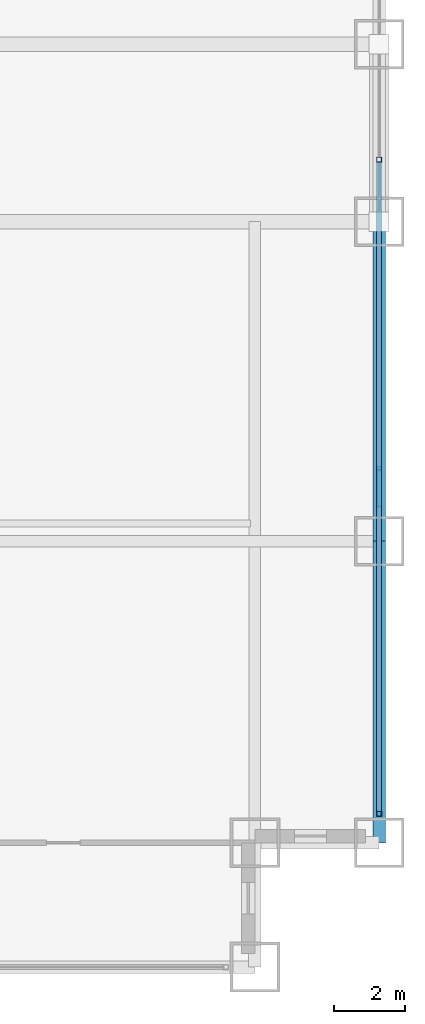
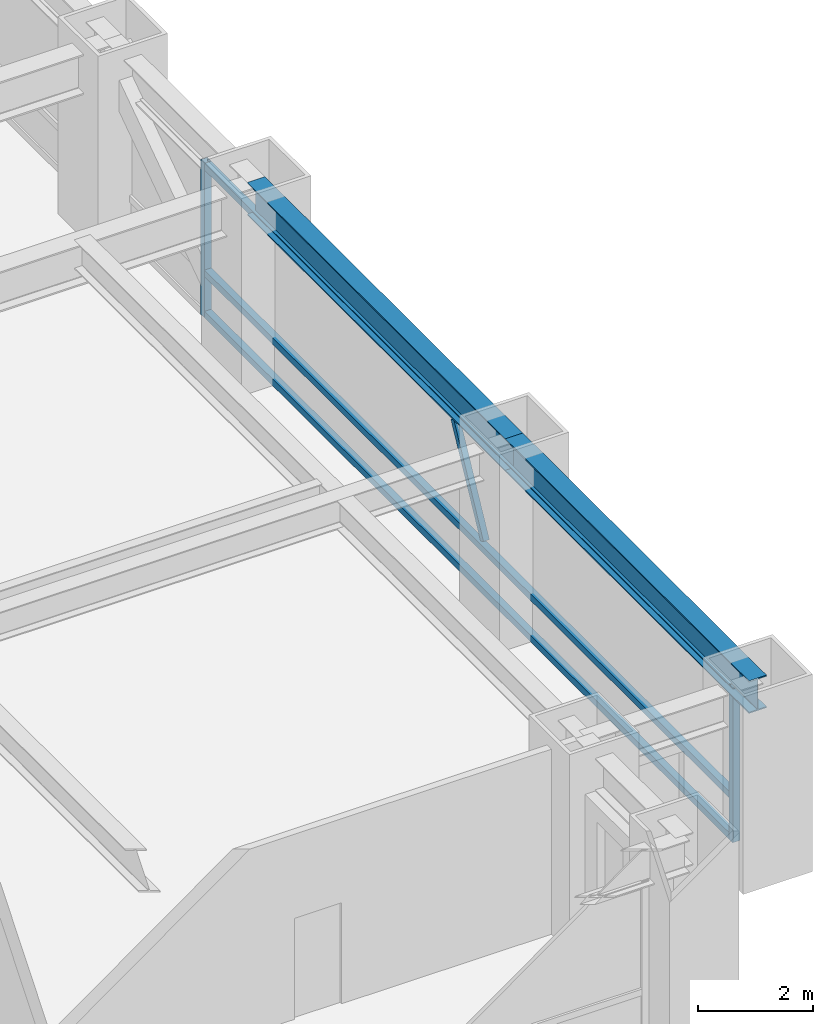
# One storey, part 16 of 28: 6 members, 2 beams, 1 element without a shape of its own.
"""IFC4 building model written with IfcOpenShell, lengths in metres."""

from ifc_helpers import new_model, si_unit, direction, frame, origin, origin_2d, place, context, subcontext, project, spatial, hollow_rectangle, i_section, extrude, source, transform, mapped, material, material_profile, profile_set, type_object, element, aggregate, save


model = new_model("IFC4")

# Units and contexts
model_context = context("Model", 3, precision=1e-05, world=origin(), true_north=direction((0.0, 1.0)))
body_context = subcontext(model_context, "Body", "Model", "MODEL_VIEW")
ifc_project = project(units=[si_unit("LENGTHUNIT", "METRE"), si_unit("AREAUNIT", "SQUARE_METRE"), si_unit("VOLUMEUNIT", "CUBIC_METRE"), si_unit("PLANEANGLEUNIT", "RADIAN"), si_unit("MASSUNIT", "GRAM", prefix="KILO")], contexts=[model_context])

# Site, building, storey
site_placement = place(None, origin())
site = spatial("IfcSite", under=ifc_project, at=site_placement, CompositionType="ELEMENT")
building_placement = place(site_placement, origin())
building = spatial("IfcBuilding", under=site, at=building_placement, Name="Khorayat Bourse Tower", CompositionType="ELEMENT")
storey_placement = place(building_placement, frame((0.0, 0.0, 66.199951171875)))
storey = spatial("IfcBuildingStorey", under=building, at=storey_placement, Name="L14", CompositionType="ELEMENT", Elevation=66.199951171875)

# Beams
ifc_material_1 = material(Name="Steel ASTM A992 Grade 50", Category="steel")
ifc_material_profile_1 = material_profile(ifc_material_1, i_section(OverallWidth=0.35498046875, OverallDepth=0.695068359375, WebThickness=0.015380859375, FlangeThickness=0.02490234375, FilletRadius=0.01806640625, at=origin_2d()), Name="W690X217")
ifc_profile_set_1 = profile_set([ifc_material_profile_1], Name="Steel ASTM A992 Grade 50")
beam_type = type_object("IfcBeamType", Name="BM-SPAN-690", PredefinedType="SPANDREL", material=ifc_profile_set_1)
shared_shape_1 = source(origin(), body_context, "Body", "SweptSolid", [
    extrude(i_section(OverallWidth=0.35498046875, OverallDepth=0.695068359375, WebThickness=0.015380859375, FlangeThickness=0.02490234375, FilletRadius=0.01806640625, at=origin_2d()), origin(), (0.0, 0.0, 1.0), 8.5),
])
beam_1_placement = place(storey_placement, frame((32.0, -28.5, 3.592529296875), z_axis=(0.0, 1.0, 0.0), x_axis=(-1.0, 0.0, 0.0)))
element("IfcBeam", 1, at=beam_1_placement, inside=storey, type_object=beam_type, Name="L14 BM-SPAN-690 BM-L14-SPN-034", PredefinedType="SPANDREL", context=body_context, shape_type="MappedRepresentation", body=[
    mapped(shared_shape_1, transform((0.0, 0.0, 0.0), scale=1.0)),
])
shared_shape_2 = source(origin(), body_context, "Body", "SweptSolid", [
    extrude(i_section(OverallWidth=0.35498046875, OverallDepth=0.695068359375, WebThickness=0.015380859375, FlangeThickness=0.02490234375, FilletRadius=0.01806640625, at=origin_2d()), origin(), (0.0, 0.0, 1.0), 9.0),
])
beam_2_placement = place(storey_placement, frame((32.0, -20.0, 3.592529296875), z_axis=(0.0, 1.0, 0.0), x_axis=(-1.0, 0.0, 0.0)))
element("IfcBeam", 2, at=beam_2_placement, inside=storey, type_object=beam_type, Name="L14 BM-SPAN-690 BM-L14-SPN-035", PredefinedType="SPANDREL", context=body_context, shape_type="MappedRepresentation", body=[
    mapped(shared_shape_2, transform((0.0, 0.0, 0.0), scale=1.0)),
])

# Curtain wall, members
ifc_material_2 = material(Name="Aluminium EN AW-6063 T6", Category="aluminium")
curtain_wall_type = type_object("IfcCurtainWallType", Name="CW-SYS-02", PredefinedType="NOTDEFINED", material=ifc_material_2)
curtain_wall_placement = place(storey_placement, origin())
curtain_wall = element("IfcCurtainWall", 3, at=curtain_wall_placement, inside=storey, type_object=curtain_wall_type, Name="L14 Curtain Wall CW-L14-E1", PredefinedType="NOTDEFINED")
ifc_material_profile_2 = material_profile(ifc_material_2, hollow_rectangle(XDim=0.139892578125, YDim=0.139892578125, WallThickness=0.006103515625, at=origin_2d()), Name="ALU 140x140x6")
ifc_profile_set_2 = profile_set([ifc_material_profile_2], Name="Aluminium EN AW-6063 T6")
member_type_1 = type_object("IfcMemberType", Name="CWT-HORZ-140", PredefinedType="USERDEFINED", material=ifc_profile_set_2)
shared_shape_3 = source(origin(), body_context, "Body", "SweptSolid", [
    extrude(hollow_rectangle(XDim=0.139892578125, YDim=0.139892578125, WallThickness=0.006103515625, at=origin_2d()), origin(), (0.0, 0.0, 1.0), 18.2900390625),
])
member_1_placement = place(storey_placement, frame((32.0, -27.610107421875, 0.070068359375), z_axis=(0.0, 1.0, 0.0), x_axis=(-1.0, 0.0, 0.0)))
member_1 = element("IfcMember", 4, at=member_1_placement, type_object=member_type_1, Name="CW-L14-E1 Horizontal Transom 1-1", ObjectType="TRANSOM", PredefinedType="USERDEFINED", context=body_context, shape_type="MappedRepresentation", body=[
    mapped(shared_shape_3, transform((0.0, 0.0, 0.0), scale=1.0)),
])
member_2_placement = place(storey_placement, frame((32.0, -27.610107421875, 0.949951171875), z_axis=(0.0, 1.0, 0.0), x_axis=(-1.0, 0.0, 0.0)))
member_2 = element("IfcMember", 5, at=member_2_placement, type_object=member_type_1, Name="CW-L14-E1 Horizontal Transom 1-2", ObjectType="TRANSOM", PredefinedType="USERDEFINED", context=body_context, shape_type="MappedRepresentation", body=[
    mapped(shared_shape_3, transform((0.0, 0.0, 0.0), scale=1.0)),
])
member_3_placement = place(storey_placement, frame((32.0, -27.610107421875, 3.219970703125), z_axis=(0.0, 1.0, 0.0), x_axis=(-1.0, 0.0, 0.0)))
member_3 = element("IfcMember", 6, at=member_3_placement, type_object=member_type_1, Name="CW-L14-E1 Horizontal Transom 1-3", ObjectType="TRANSOM", PredefinedType="USERDEFINED", context=body_context, shape_type="MappedRepresentation", body=[
    mapped(shared_shape_3, transform((0.0, 0.0, 0.0), scale=1.0)),
])
ifc_material_profile_3 = material_profile(ifc_material_2, hollow_rectangle(XDim=0.1201171875, YDim=0.1201171875, WallThickness=0.0048828125, at=origin_2d()), Name="ALU 120x120x5")
ifc_profile_set_3 = profile_set([ifc_material_profile_3], Name="Aluminium EN AW-6063 T6")
member_type_2 = type_object("IfcMemberType", Name="CWM-DIAG-120", PredefinedType="MULLION", material=ifc_profile_set_3)
shared_shape_4 = source(origin(), body_context, "Body", "SweptSolid", [
    extrude(hollow_rectangle(XDim=0.1201171875, YDim=0.1201171875, WallThickness=0.0048828125, at=origin_2d()), origin(), (0.0, 0.0, 1.0), 2.22607421875),
])
member_4_placement = place(storey_placement, frame((32.0, -18.9833984375, 1.10009765625), z_axis=(0.0, 0.465759992596, 0.884911085532), x_axis=(-1.0, 0.0, 0.0)))
member_4 = element("IfcMember", 7, at=member_4_placement, type_object=member_type_2, Name="CW-L14-E1 Faceted Diagonal Mullion 1", PredefinedType="MULLION", context=body_context, shape_type="MappedRepresentation", body=[
    mapped(shared_shape_4, transform((0.0, 0.0, 0.0), scale=1.0)),
])
ifc_material_profile_4 = material_profile(ifc_material_2, hollow_rectangle(XDim=0.139892578125, YDim=0.139892578125, WallThickness=0.006103515625, at=origin_2d()), Name="ALU 140x140x6")
ifc_profile_set_4 = profile_set([ifc_material_profile_4], Name="Aluminium EN AW-6063 T6")
member_type_3 = type_object("IfcMemberType", Name="CWM-VERT-140", PredefinedType="MULLION", material=ifc_profile_set_4)
shared_shape_5 = source(origin(), body_context, "Body", "SweptSolid", [
    extrude(hollow_rectangle(XDim=0.139892578125, YDim=0.139892578125, WallThickness=0.006103515625, at=origin_2d()), origin(), (0.0, 0.0, 1.0), 3.2900390625),
])
member_5_placement = place(storey_placement, frame((32.0, -27.679931640625, 0.0), z_axis=(0.0, 0.0, 1.0), x_axis=(-1.0, 0.0, 0.0)))
member_5 = element("IfcMember", 8, at=member_5_placement, type_object=member_type_3, Name="CW-L14-E1 Vertical Mullion 1", PredefinedType="MULLION", context=body_context, shape_type="MappedRepresentation", body=[
    mapped(shared_shape_5, transform((0.0, 0.0, 0.0), scale=1.0)),
])
member_6_placement = place(storey_placement, frame((32.0, -9.25, 0.0), z_axis=(0.0, 0.0, 1.0), x_axis=(-1.0, 0.0, 0.0)))
member_6 = element("IfcMember", 9, at=member_6_placement, type_object=member_type_3, Name="CW-L14-E1 Vertical Mullion 2", PredefinedType="MULLION", context=body_context, shape_type="MappedRepresentation", body=[
    mapped(shared_shape_5, transform((0.0, 0.0, 0.0), scale=1.0)),
])
aggregate(curtain_wall, [member_5, member_6, member_1, member_2, member_3, member_4])

save(model, "model.ifc")
